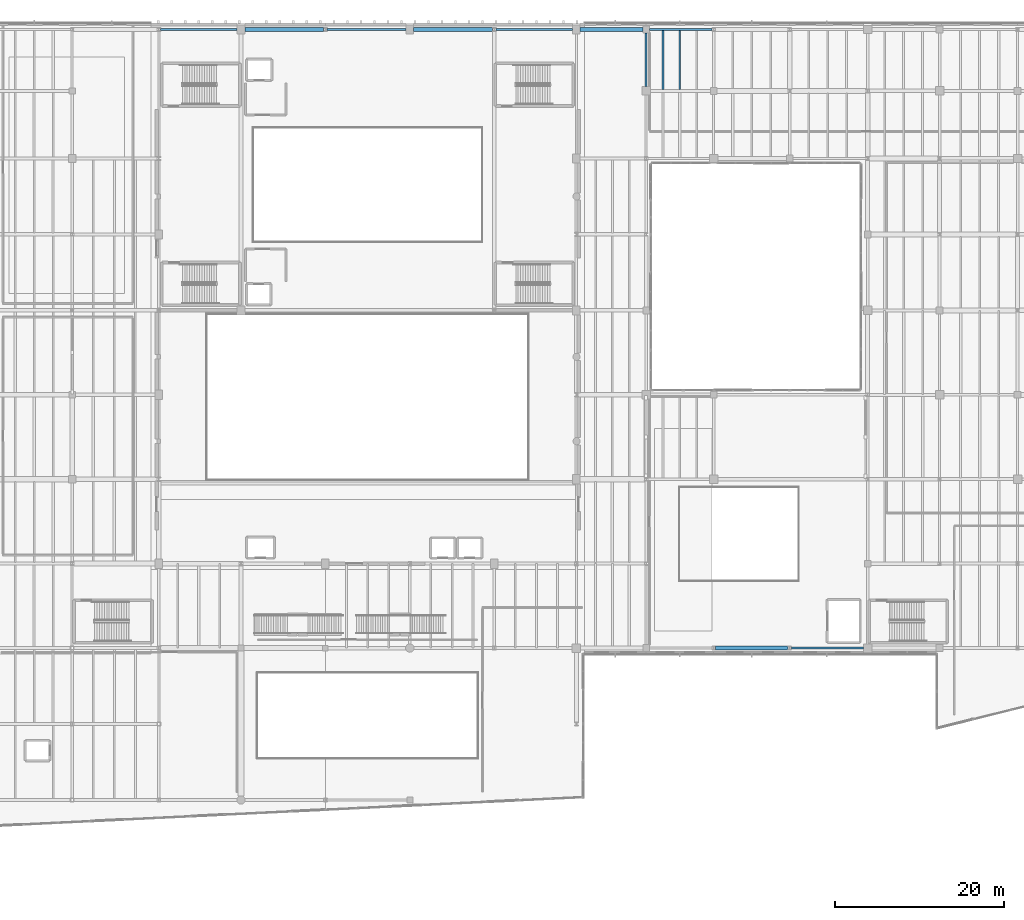
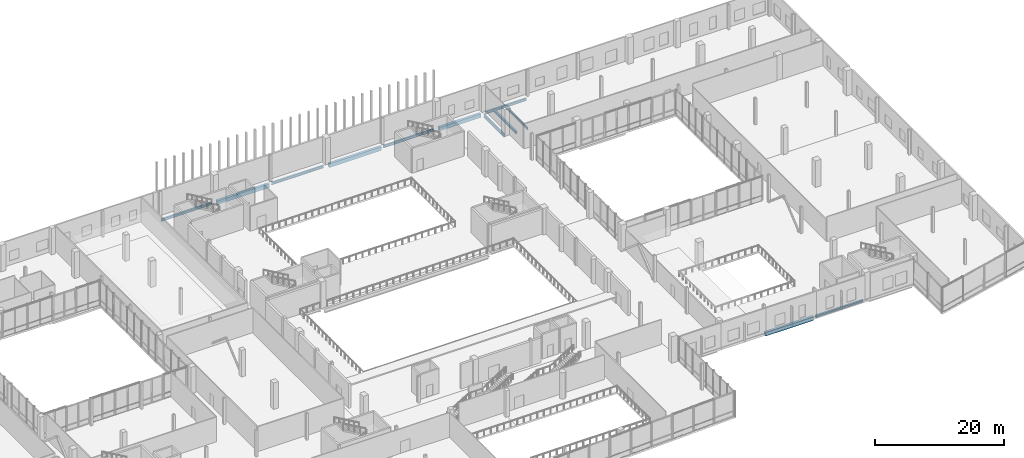
# One storey, part 41 of 81: 12 beams.
"""IFC4 building model written with IfcOpenShell, lengths in metres."""

from ifc_helpers import new_model, si_unit, direction, frame, origin, origin_2d, place, context, subcontext, project, spatial, rectangle, i_section, extrude, material, material_profile, profile_set, type_object, element, save


model = new_model("IFC4")

# Units and contexts
model_context = context("Model", 3, precision=1e-05, world=origin(), true_north=direction((0.0, 1.0)))
body_context = subcontext(model_context, "Body", "Model", "MODEL_VIEW")
ifc_project = project(units=[si_unit("LENGTHUNIT", "METRE"), si_unit("AREAUNIT", "SQUARE_METRE"), si_unit("VOLUMEUNIT", "CUBIC_METRE"), si_unit("PLANEANGLEUNIT", "RADIAN"), si_unit("MASSUNIT", "GRAM", prefix="KILO")], contexts=[model_context])

# Site, building, storey
site_placement = place(None, origin())
site = spatial("IfcSite", under=ifc_project, at=site_placement, CompositionType="ELEMENT")
building_placement = place(site_placement, origin())
building = spatial("IfcBuilding", under=site, at=building_placement, Name="Trimount Lyric Opera House", CompositionType="ELEMENT")
storey_placement = place(building_placement, frame((0.0, 0.0, 5.0)))
storey = spatial("IfcBuildingStorey", under=building, at=storey_placement, Name="L01", CompositionType="ELEMENT", Elevation=5.0)

# Beams
ifc_material_1 = material(Name="Steel ASTM A992 Grade 50", Category="steel")
ifc_material_profile_1 = material_profile(ifc_material_1, i_section(OverallWidth=0.22998046875, OverallDepth=0.616943359375, WebThickness=0.01318359375, FlangeThickness=0.022216796875, FilletRadius=0.013916015625, at=origin_2d()), Name="W24X94")
ifc_profile_set_1 = profile_set([ifc_material_profile_1], Name="Steel ASTM A992 Grade 50")
beam_type_1 = type_object("IfcBeamType", Name="B-11", PredefinedType="BEAM", material=ifc_profile_set_1)
beam_1_placement = place(storey_placement, frame((122.0, 110.5, -0.618408203125), z_axis=(0.0, 1.0, 0.0), x_axis=(-1.0, 0.0, 0.0)))
element("IfcBeam", 1, at=beam_1_placement, inside=storey, type_object=beam_type_1, Name="L01 girder Y-0677", PredefinedType="BEAM", context=body_context, shape_type="SweptSolid", body=[
    extrude(i_section(OverallWidth=0.22998046875, OverallDepth=0.616943359375, WebThickness=0.01318359375, FlangeThickness=0.022216796875, FilletRadius=0.013916015625, at=origin_2d()), origin(), (0.0, 0.0, 1.0), 6.3798828125),
])
ifc_material_2 = material(Name="Steel ASTM A992 Grade 50", Category="steel")
ifc_material_profile_2 = material_profile(ifc_material_2, i_section(OverallWidth=0.281982421875, OverallDepth=0.467041015625, WebThickness=0.01220703125, FlangeThickness=0.01953125, FilletRadius=0.012939453125, at=origin_2d()), Name="W18X86")
ifc_profile_set_2 = profile_set([ifc_material_profile_2], Name="Steel ASTM A992 Grade 50")
beam_type_2 = type_object("IfcBeamType", Name="J-03", PredefinedType="BEAM", material=ifc_profile_set_2)
beam_2_placement = place(storey_placement, frame((124.0, 110.159912109375, -0.54345703125), z_axis=(0.0, 1.0, 0.0), x_axis=(-1.0, 0.0, 0.0)))
element("IfcBeam", 2, at=beam_2_placement, inside=storey, type_object=beam_type_2, Name="L01 composite floor joist 0719", PredefinedType="BEAM", context=body_context, shape_type="SweptSolid", body=[
    extrude(i_section(OverallWidth=0.281982421875, OverallDepth=0.467041015625, WebThickness=0.01220703125, FlangeThickness=0.01953125, FilletRadius=0.012939453125, at=origin_2d()), origin(), (0.0, 0.0, 1.0), 6.983154296875),
])
ifc_material_3 = material(Name="Steel ASTM A992 Grade 50", Category="steel")
ifc_material_profile_3 = material_profile(ifc_material_3, i_section(OverallWidth=0.19091796875, OverallDepth=0.45703125, WebThickness=0.009033203125, FlangeThickness=0.014404296875, FilletRadius=0.010986328125, at=origin_2d()), Name="W18X50")
ifc_profile_set_3 = profile_set([ifc_material_profile_3], Name="Steel ASTM A992 Grade 50")
beam_type_3 = type_object("IfcBeamType", Name="J-04", PredefinedType="BEAM", material=ifc_profile_set_3)
beam_3_placement = place(storey_placement, frame((126.0, 110.159912109375, -0.53857421875), z_axis=(0.0, 1.0, 0.0), x_axis=(-1.0, 0.0, 0.0)))
element("IfcBeam", 3, at=beam_3_placement, inside=storey, type_object=beam_type_3, Name="L01 composite floor joist 0720", PredefinedType="BEAM", context=body_context, shape_type="SweptSolid", body=[
    extrude(i_section(OverallWidth=0.19091796875, OverallDepth=0.45703125, WebThickness=0.009033203125, FlangeThickness=0.014404296875, FilletRadius=0.010986328125, at=origin_2d()), origin(), (0.0, 0.0, 1.0), 6.983154296875),
])
ifc_material_4 = material(Name="Steel ASTM A992 Grade 50", Category="steel")
ifc_material_profile_4 = material_profile(ifc_material_4, i_section(OverallWidth=0.281982421875, OverallDepth=0.467041015625, WebThickness=0.01220703125, FlangeThickness=0.01953125, FilletRadius=0.012939453125, at=origin_2d()), Name="W18X86")
ifc_profile_set_4 = profile_set([ifc_material_profile_4], Name="Steel ASTM A992 Grade 50")
beam_type_4 = type_object("IfcBeamType", Name="SP-01", PredefinedType="SPANDREL", material=ifc_profile_set_4)
beam_4_placement = place(storey_placement, frame((139.199462890625, 44.0, -0.513427734375), z_axis=(1.0, 0.0, 0.0), x_axis=(0.0, 1.0, 0.0)))
element("IfcBeam", 4, at=beam_4_placement, inside=storey, type_object=beam_type_4, Name="L01 girder X-0487", PredefinedType="SPANDREL", context=body_context, shape_type="SweptSolid", body=[
    extrude(i_section(OverallWidth=0.281982421875, OverallDepth=0.467041015625, WebThickness=0.01220703125, FlangeThickness=0.01953125, FilletRadius=0.012939453125, at=origin_2d()), origin(), (0.0, 0.0, 1.0), 8.54052734375),
])
beam_5_placement = place(storey_placement, frame((64.470947265625, 117.280029296875, -0.55859375), z_axis=(1.0, 0.0, 0.0), x_axis=(0.0, 1.0, 0.0)))
element("IfcBeam", 5, at=beam_5_placement, inside=storey, type_object=beam_type_4, Name="L01 girder X-0582", PredefinedType="SPANDREL", context=body_context, shape_type="SweptSolid", body=[
    extrude(i_section(OverallWidth=0.281982421875, OverallDepth=0.467041015625, WebThickness=0.01220703125, FlangeThickness=0.01953125, FilletRadius=0.012939453125, at=origin_2d()), origin(), (0.0, 0.0, 1.0), 9.0791015625),
])
beam_6_placement = place(storey_placement, frame((84.2109375, 117.280029296875, -0.55859375), z_axis=(1.0, 0.0, 0.0), x_axis=(0.0, 1.0, 0.0)))
element("IfcBeam", 6, at=beam_6_placement, inside=storey, type_object=beam_type_4, Name="L01 girder X-0584", PredefinedType="SPANDREL", context=body_context, shape_type="SweptSolid", body=[
    extrude(i_section(OverallWidth=0.281982421875, OverallDepth=0.467041015625, WebThickness=0.01220703125, FlangeThickness=0.01953125, FilletRadius=0.012939453125, at=origin_2d()), origin(), (0.0, 0.0, 1.0), 9.339111328125),
])
beam_7_placement = place(storey_placement, frame((104.2109375, 117.280029296875, -0.55859375), z_axis=(1.0, 0.0, 0.0), x_axis=(0.0, 1.0, 0.0)))
element("IfcBeam", 7, at=beam_7_placement, inside=storey, type_object=beam_type_4, Name="L01 girder X-0586", PredefinedType="SPANDREL", context=body_context, shape_type="SweptSolid", body=[
    extrude(i_section(OverallWidth=0.281982421875, OverallDepth=0.467041015625, WebThickness=0.01220703125, FlangeThickness=0.01953125, FilletRadius=0.012939453125, at=origin_2d()), origin(), (0.0, 0.0, 1.0), 9.0791015625),
])
beam_8_placement = place(storey_placement, frame((122.39990234375, 117.280029296875, -0.54345703125), z_axis=(1.0, 0.0, 0.0), x_axis=(0.0, 1.0, 0.0)))
element("IfcBeam", 8, at=beam_8_placement, inside=storey, type_object=beam_type_4, Name="L01 girder X-0588", PredefinedType="SPANDREL", context=body_context, shape_type="SweptSolid", body=[
    extrude(i_section(OverallWidth=0.281982421875, OverallDepth=0.467041015625, WebThickness=0.01220703125, FlangeThickness=0.01953125, FilletRadius=0.012939453125, at=origin_2d()), origin(), (0.0, 0.0, 1.0), 7.41357421875),
])
ifc_material_5 = material(Name="Concrete C40/50", Category="concrete")
ifc_material_profile_5 = material_profile(ifc_material_5, rectangle(XDim=0.449951171875, YDim=0.699951171875, at=origin_2d()), Name="RC450X700")
ifc_profile_set_5 = profile_set([ifc_material_profile_5], Name="Concrete C40/50")
beam_type_5 = type_object("IfcBeamType", Name="SP-02", PredefinedType="SPANDREL", material=ifc_profile_set_5)
beam_9_placement = place(storey_placement, frame((130.1865234375, 44.0, -0.6298828125), z_axis=(1.0, 0.0, 0.0), x_axis=(0.0, 1.0, 0.0)))
element("IfcBeam", 9, at=beam_9_placement, inside=storey, type_object=beam_type_5, Name="L01 girder X-0486", PredefinedType="SPANDREL", context=body_context, shape_type="SweptSolid", body=[
    extrude(rectangle(XDim=0.449951171875, YDim=0.699951171875, at=origin_2d()), origin(), (0.0, 0.0, 1.0), 8.614013671875),
])
for number, where, z_axis, x_axis, name in (
    (10, (74.449951171875, 117.280029296875, -0.675048828125), (1.0, 0.0, 0.0), (0.0, 1.0, 0.0), "L01 girder X-0583"),
    (11, (94.449951171875, 117.280029296875, -0.675048828125), (1.0, 0.0, 0.0), (0.0, 1.0, 0.0), "L01 girder X-0585"),
):
    element("IfcBeam", number, at=place(storey_placement, frame(where, z_axis=z_axis, x_axis=x_axis)), inside=storey, type_object=beam_type_5, Name=name, PredefinedType="SPANDREL", context=body_context, shape_type="SweptSolid", body=[
        extrude(rectangle(XDim=0.449951171875, YDim=0.699951171875, at=origin_2d()), origin(), (0.0, 0.0, 1.0), 9.339111328125),
    ])
beam_10_placement = place(storey_placement, frame((114.18994140625, 117.280029296875, -0.675048828125), z_axis=(1.0, 0.0, 0.0), x_axis=(0.0, 1.0, 0.0)))
element("IfcBeam", 12, at=beam_10_placement, inside=storey, type_object=beam_type_5, Name="L01 girder X-0587", PredefinedType="SPANDREL", context=body_context, shape_type="SweptSolid", body=[
    extrude(rectangle(XDim=0.449951171875, YDim=0.699951171875, at=origin_2d()), origin(), (0.0, 0.0, 1.0), 7.41015625),
])

save(model, "model.ifc")
